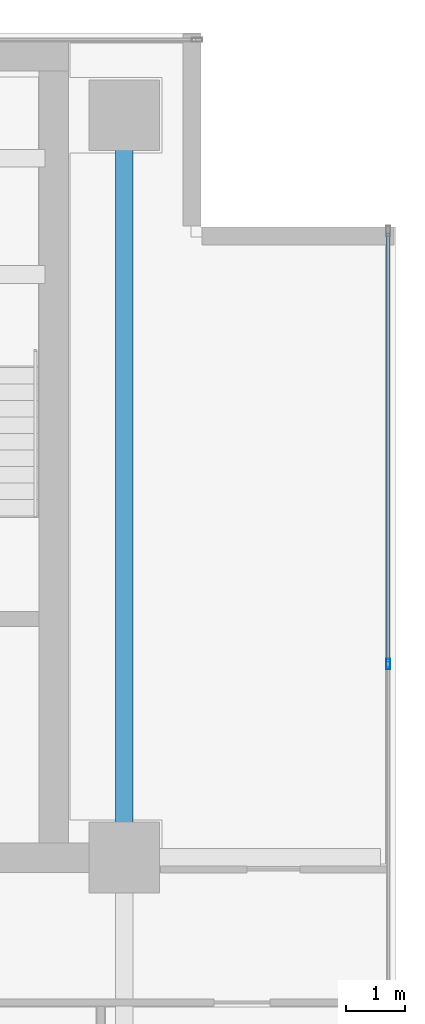
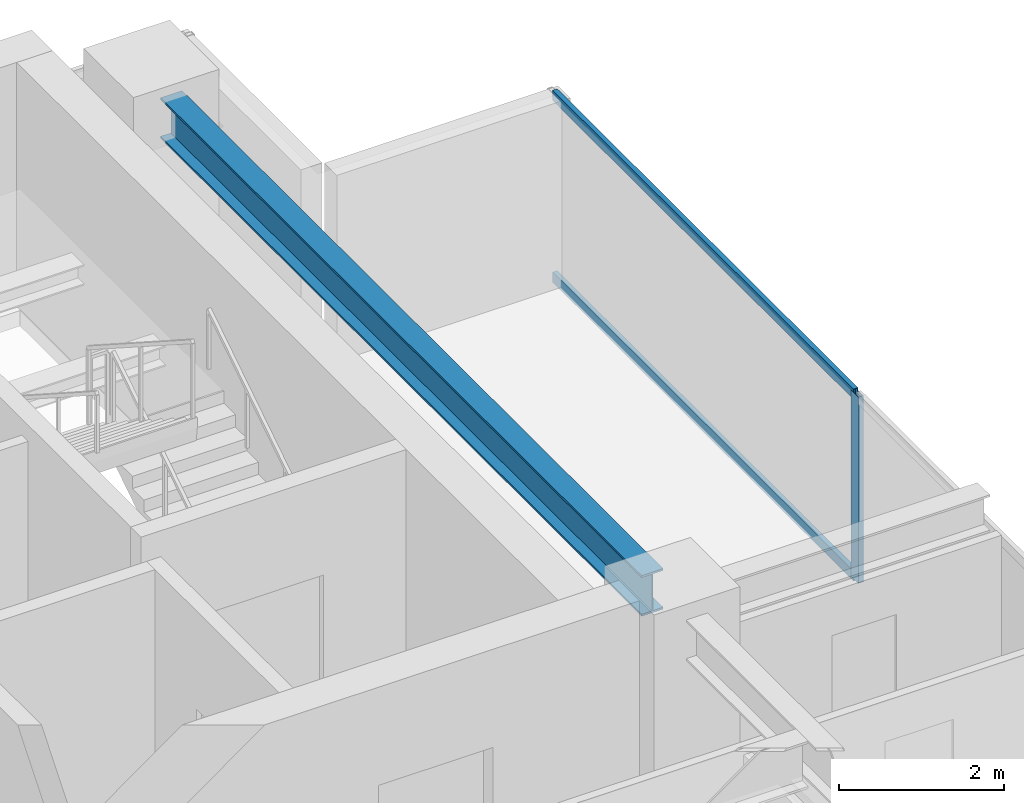
# One storey, part 11 of 23: 3 members, 1 beam, 1 element without a shape of its own.
"""IFC4 building model written with IfcOpenShell, lengths in metres."""

from ifc_helpers import new_model, si_unit, direction, frame, origin, origin_2d, place, context, subcontext, project, spatial, hollow_rectangle, i_section, extrude, source, transform, mapped, material, layer, layer_set, material_profile, profile_set, type_object, element, aggregate, save


model = new_model("IFC4")

# Units and contexts
model_context = context("Model", 3, precision=1e-05, world=origin(), true_north=direction((0.0, 1.0)))
body_context = subcontext(model_context, "Body", "Model", "MODEL_VIEW")
ifc_project = project(units=[si_unit("LENGTHUNIT", "METRE"), si_unit("AREAUNIT", "SQUARE_METRE"), si_unit("VOLUMEUNIT", "CUBIC_METRE"), si_unit("PLANEANGLEUNIT", "RADIAN"), si_unit("MASSUNIT", "GRAM", prefix="KILO")], contexts=[model_context])

# Site, building, storey
site_placement = place(None, origin())
site = spatial("IfcSite", under=ifc_project, at=site_placement, CompositionType="ELEMENT")
building_placement = place(site_placement, origin())
building = spatial("IfcBuilding", under=site, at=building_placement, Name="Sumidabori Civic Tower", CompositionType="ELEMENT")
storey_placement = place(building_placement, frame((0.0, 0.0, 275.60009765625)))
storey = spatial("IfcBuildingStorey", under=building, at=storey_placement, Name="L72", CompositionType="ELEMENT", Elevation=275.60009765625)

# Beam
ifc_material_1 = material(Name="Steel SN490", Category="steel")
ifc_material_profile_1 = material_profile(ifc_material_1, i_section(OverallWidth=0.300048828125, OverallDepth=0.60009765625, WebThickness=0.015380859375, FlangeThickness=0.030029296875, at=origin_2d()), Name="HE 600 B")
ifc_profile_set_1 = profile_set([ifc_material_profile_1], Name="Steel SN490")
beam_type = type_object("IfcBeamType", Name="BM-GIRD-600", PredefinedType="BEAM", material=ifc_profile_set_1)
shared_shape_1 = source(origin(), body_context, "Body", "SweptSolid", [
    extrude(i_section(OverallWidth=0.300048828125, OverallDepth=0.60009765625, WebThickness=0.015380859375, FlangeThickness=0.030029296875, at=origin_2d()), origin(), (0.0, 0.0, 1.0), 11.64013671875),
])
beam_placement = place(storey_placement, frame((16.800048828125, 10.679931640625, 3.06982421875), z_axis=(0.0, 1.0, 0.0), x_axis=(-1.0, 0.0, 0.0)))
element("IfcBeam", 1, at=beam_placement, inside=storey, type_object=beam_type, Name="Primary Girder L72 GY-17", PredefinedType="BEAM", context=body_context, shape_type="MappedRepresentation", body=[
    mapped(shared_shape_1, transform((0.0, 0.0, 0.0), x_axis=(1.0, 0.0, 0.0), y_axis=(0.0, 1.0, 0.0), z_axis=(0.0, 0.0, 1.0), scale=1.0)),
])

# Curtain wall, members
ifc_material_2 = material(Name="Anodised Bronze Aluminium AW-6063-T6", Category="aluminium")
ifc_layer = layer(ifc_material_2, 0.179931640625, Name="Anodised Bronze Aluminium AW-6063-T6")
ifc_layer_set = layer_set([ifc_layer], Name="Anodised Bronze Aluminium AW-6063-T6")
curtain_wall_type = type_object("IfcCurtainWallType", Name="CW-SYS-6", PredefinedType="NOTDEFINED", material=ifc_layer_set)
curtain_wall_placement = place(storey_placement, origin())
curtain_wall = element("IfcCurtainWall", 2, at=curtain_wall_placement, inside=storey, type_object=curtain_wall_type, Name="Curtain Wall CW:L72:R04", PredefinedType="NOTDEFINED")
ifc_material_profile_2 = material_profile(ifc_material_2, hollow_rectangle(XDim=0.070068359375, YDim=0.179931640625, WallThickness=0.006103515625, at=origin_2d()), Name="ALU MULLION 180x70")
ifc_profile_set_2 = profile_set([ifc_material_profile_2], Name="Anodised Bronze Aluminium AW-6063-T6")
member_type_1 = type_object("IfcMemberType", Name="CW-MUL-180", PredefinedType="MULLION", material=ifc_profile_set_2)
shared_shape_2 = source(origin(), body_context, "Body", "SweptSolid", [
    extrude(hollow_rectangle(XDim=0.070068359375, YDim=0.179931640625, WallThickness=0.006103515625, at=origin_2d()), origin(), (0.0, 0.0, 1.0), 2.75),
])
member_1_placement = place(storey_placement, frame((21.280029296875, 13.485107421875, 0.0), z_axis=(0.0, 0.0, 1.0), x_axis=(-1.0, 0.0, 0.0)))
member_1 = element("IfcMember", 3, at=member_1_placement, type_object=member_type_1, Name="CW-6 mullion 4", PredefinedType="MULLION", context=body_context, shape_type="MappedRepresentation", body=[
    mapped(shared_shape_2, transform((0.0, 0.0, 0.0), x_axis=(1.0, 0.0, 0.0), y_axis=(0.0, 1.0, 0.0), z_axis=(0.0, 0.0, 1.0), scale=1.0)),
])
ifc_material_profile_3 = material_profile(ifc_material_2, hollow_rectangle(XDim=0.06494140625, YDim=0.14990234375, WallThickness=0.0048828125, at=origin_2d()), Name="ALU TRANSOM 150x65")
ifc_profile_set_3 = profile_set([ifc_material_profile_3], Name="Anodised Bronze Aluminium AW-6063-T6")
member_type_2 = type_object("IfcMemberType", Name="CW-TRN-150", PredefinedType="USERDEFINED", material=ifc_profile_set_3)
shared_shape_3 = source(origin(), body_context, "Body", "SweptSolid", [
    extrude(hollow_rectangle(XDim=0.06494140625, YDim=0.14990234375, WallThickness=0.0048828125, at=origin_2d()), origin(), (0.0, 0.0, 1.0), 7.280029296875),
])
member_2_placement = place(storey_placement, frame((21.280029296875, 13.52001953125, 0.032470703125), z_axis=(0.0, 1.0, 0.0), x_axis=(-1.0, 0.0, 0.0)))
member_2 = element("IfcMember", 4, at=member_2_placement, type_object=member_type_2, Name="CW-6 transom 4.1", ObjectType="TRANSOM", PredefinedType="USERDEFINED", context=body_context, shape_type="MappedRepresentation", body=[
    mapped(shared_shape_3, transform((0.0, 0.0, 0.0), x_axis=(1.0, 0.0, 0.0), y_axis=(0.0, 1.0, 0.0), z_axis=(0.0, 0.0, 1.0), scale=1.0)),
])
member_3_placement = place(storey_placement, frame((21.280029296875, 13.52001953125, 2.71728515625), z_axis=(0.0, 1.0, 0.0), x_axis=(-1.0, 0.0, 0.0)))
member_3 = element("IfcMember", 5, at=member_3_placement, type_object=member_type_2, Name="CW-6 transom 4.2", ObjectType="TRANSOM", PredefinedType="USERDEFINED", context=body_context, shape_type="MappedRepresentation", body=[
    mapped(shared_shape_3, transform((0.0, 0.0, 0.0), x_axis=(1.0, 0.0, 0.0), y_axis=(0.0, 1.0, 0.0), z_axis=(0.0, 0.0, 1.0), scale=1.0)),
])
aggregate(curtain_wall, [member_1, member_2, member_3])

save(model, "model.ifc")
